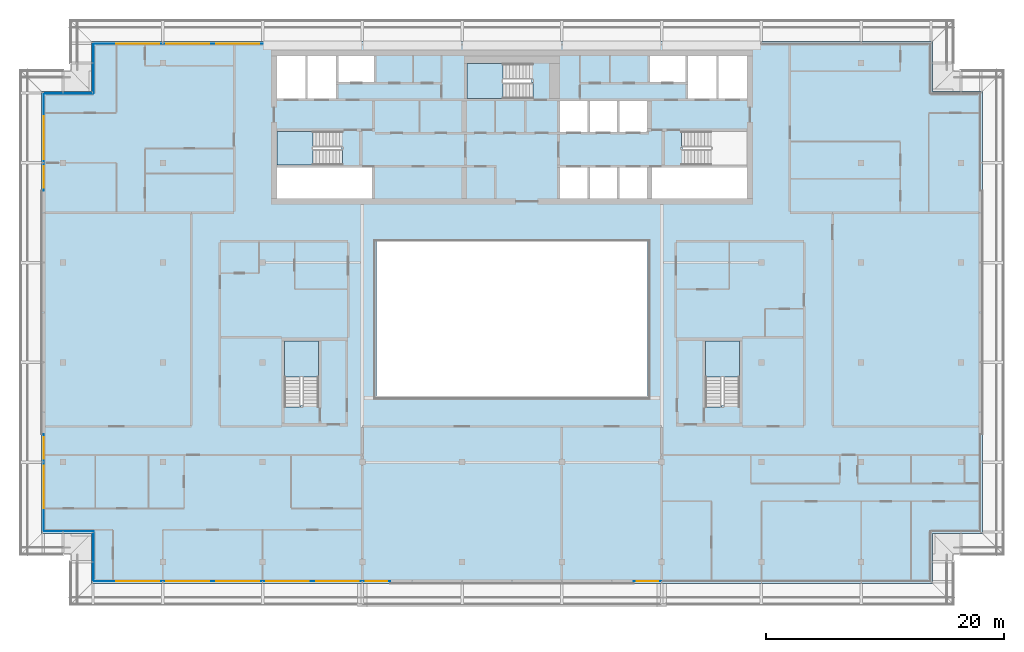
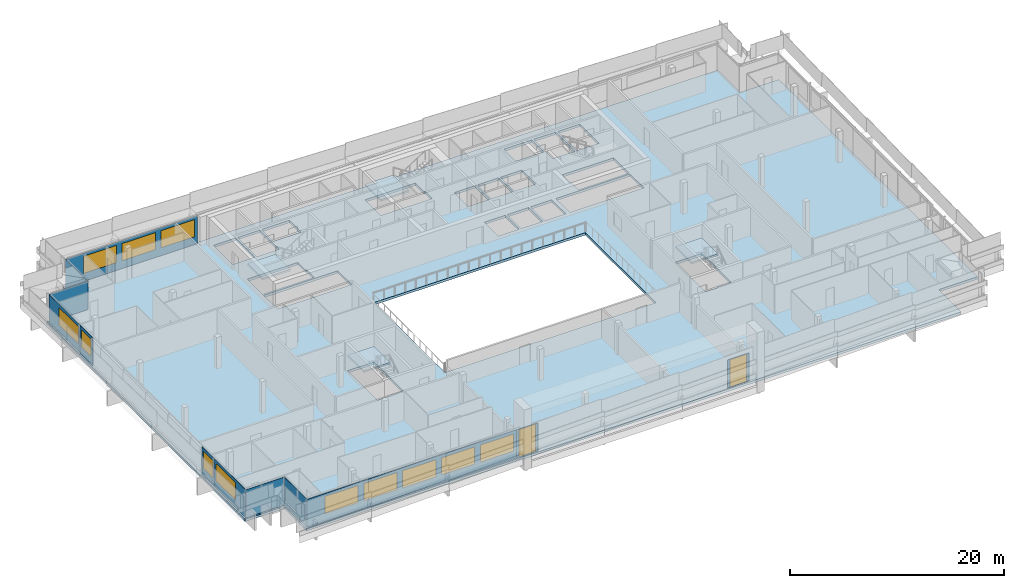
# One storey, part 15 of 33: 14 windows, 12 plates, 5 slabs, 14 openings, 11 elements without a shape of their own.
"""IFC4 building model written with IfcOpenShell, lengths in metres."""

import ifcopenshell
import ifcopenshell.guid

model = None  # the IFC model being written
_history = None  # IfcOwnerHistory: only IFC2X3 demands one
_inside = {}  # id of a spatial element -> (the spatial element, [elements in it])
_under = {}  # id of a project, library or spatial element -> (it, [spatial elements below it])
_declared = {}  # id of a project -> (the project, [libraries it declares])
_typed = {}  # id of a type object -> (the type object, [elements of that type])
_made_of = {}  # id of a material, layer set ... -> (it, [elements and type objects made of it])


def new_model(schema):
    """Start an empty IFC model of exactly this schema.

    Asked for "IFC4X3", IfcOpenShell would pick the latest addendum, in which some entities
    have other attributes; the version numbers below select the first issue.
    IFC2X3 requires an IfcOwnerHistory on every rooted entity: one is made here for all.
    """
    global model, _history
    if schema == "IFC4X3":
        model = ifcopenshell.file(schema_version=(4, 3, 0, 0))
    else:
        model = ifcopenshell.file(schema=schema)
    _inside.clear()
    _under.clear()
    _declared.clear()
    _typed.clear()
    _made_of.clear()
    _history = None
    if model.schema == "IFC2X3":
        org = make("IfcOrganization", Name="unknown")
        user = make(
            "IfcPersonAndOrganization",
            ThePerson=make("IfcPerson", FamilyName="unknown"),
            TheOrganization=org,
        )
        app = make(
            "IfcApplication",
            ApplicationDeveloper=org,
            Version="unknown",
            ApplicationFullName="unknown",
            ApplicationIdentifier="unknown",
        )
        _history = make(
            "IfcOwnerHistory",
            OwningUser=user,
            OwningApplication=app,
            ChangeAction="ADDED",
            CreationDate=0,
        )
    return model


def make(cls, **values):
    """One entity of the class cls with the attributes given. An attribute that is None is left unset."""
    return model.create_entity(
        cls, **{name: value for name, value in values.items() if value is not None}
    )


def rooted(cls, **values):
    """An entity with a GlobalId (a new one), such as an element, a storey or a relation."""
    return make(cls, GlobalId=ifcopenshell.guid.new(), OwnerHistory=_history, **values)


def si_unit(unit_type, name, prefix=None):
    """IfcSIUnit, for example si_unit("LENGTHUNIT", "METRE", prefix="MILLI")."""
    return make("IfcSIUnit", UnitType=unit_type, Prefix=prefix, Name=name)


def assignment(units):
    """IfcUnitAssignment: the units of a project."""
    return None if units is None else make("IfcUnitAssignment", Units=units)


def point(xyz):
    """IfcCartesianPoint."""
    return None if xyz is None else make("IfcCartesianPoint", Coordinates=xyz)


def direction(xyz):
    """IfcDirection."""
    return None if xyz is None else make("IfcDirection", DirectionRatios=xyz)


def frame(location, z_axis=None, x_axis=None):
    """IfcAxis2Placement3D, a coordinate frame: its origin and axes. An axis left out is left unset."""
    return make(
        "IfcAxis2Placement3D",
        Location=point(location),
        Axis=direction(z_axis),
        RefDirection=direction(x_axis),
    )


def frame_2d(location, x_axis=None):
    """IfcAxis2Placement2D, a coordinate frame in the plane: its origin and x axis."""
    return make(
        "IfcAxis2Placement2D", Location=point(location), RefDirection=direction(x_axis)
    )


def origin():
    """The frame at (0, 0, 0) with its axes left unset."""
    return frame((0.0, 0.0, 0.0))


def place(relative_to, where):
    """IfcLocalPlacement: puts the frame where relative to a parent placement (None: the world)."""
    return make(
        "IfcLocalPlacement", PlacementRelTo=relative_to, RelativePlacement=where
    )


def context(
    kind, dimensions, precision=None, world=None, true_north=None, identifier=None
):
    """IfcGeometricRepresentationContext, for example the 3D "Model" context."""
    return make(
        "IfcGeometricRepresentationContext",
        ContextIdentifier=identifier,
        ContextType=kind,
        CoordinateSpaceDimension=dimensions,
        Precision=precision,
        WorldCoordinateSystem=world,
        TrueNorth=true_north,
    )


def subcontext(parent, identifier, kind, view, scale=None):
    """IfcGeometricRepresentationSubContext, for example "Body" below "Model"."""
    return make(
        "IfcGeometricRepresentationSubContext",
        ContextIdentifier=identifier,
        ContextType=kind,
        ParentContext=parent,
        TargetScale=scale,
        TargetView=view,
    )


def project(units=None, contexts=None):
    """IfcProject with its units and contexts."""
    return rooted(
        "IfcProject",
        Name="project",
        RepresentationContexts=contexts,
        UnitsInContext=assignment(units),
    )


def spatial(cls, under=None, at=None, **own):
    """A site, building, storey or space (cls), placed at a placement, below another one or the project."""
    s = rooted(cls, ObjectPlacement=at, **own)
    if under is not None:
        _under.setdefault(under.id(), (under, []))[1].append(s)
    return s


def polyline(points):
    """IfcPolyline through the points."""
    return make("IfcPolyline", Points=[point(p) for p in points])


def profile(cls, at=None, kind="AREA", **sizes):
    """A parametric profile (cls). Its sizes go by their IFC names, for example OverallWidth=200.0."""
    return make(cls, ProfileType=kind, Position=at, **sizes)


def rectangle(**sizes):
    """IfcRectangleProfileDef."""
    return profile("IfcRectangleProfileDef", **sizes)


def outline(outer, holes=None, kind="AREA"):
    """IfcArbitraryClosedProfileDef: a profile drawn as a closed curve; with holes, ...WithVoids."""
    if holes is None:
        return make("IfcArbitraryClosedProfileDef", ProfileType=kind, OuterCurve=outer)
    return make(
        "IfcArbitraryProfileDefWithVoids",
        ProfileType=kind,
        OuterCurve=outer,
        InnerCurves=holes,
    )


def extrude(swept, where, along, depth):
    """IfcExtrudedAreaSolid: the profile swept, set in the frame where, extruded along a direction by depth."""
    return make(
        "IfcExtrudedAreaSolid",
        SweptArea=swept,
        Position=where,
        ExtrudedDirection=direction(along),
        Depth=depth,
    )


def shape(context_of_items, identifier, shape_type, items):
    """IfcShapeRepresentation: the items that make up one representation, for example the "Body"."""
    return make(
        "IfcShapeRepresentation",
        ContextOfItems=context_of_items,
        RepresentationIdentifier=identifier,
        RepresentationType=shape_type,
        Items=items,
    )


def material(Name=None, Category=None):
    """IfcMaterial."""
    return make("IfcMaterial", Name=Name, Category=Category)


def layer(
    of_material, thickness, ventilated=None, Name=None, Category=None, Priority=None
):
    """IfcMaterialLayer: one layer of a wall or slab, of a material (None: an air gap)."""
    return make(
        "IfcMaterialLayer",
        Material=of_material,
        LayerThickness=thickness,
        IsVentilated=ventilated,
        Name=Name,
        Category=Category,
        Priority=Priority,
    )


def layer_set(layers, Name=None):
    """IfcMaterialLayerSet."""
    return make("IfcMaterialLayerSet", MaterialLayers=layers, LayerSetName=Name)


def made_of(thing, what):
    """Note that an element or type object is made of a material, layer set ...; save() writes the relation."""
    if what is not None:
        _made_of.setdefault(what.id(), (what, []))[1].append(thing)
    return thing


def type_object(cls, material=None, **own):
    """A type object (cls), such as IfcWallType, which elements share."""
    return made_of(rooted(cls, **own), material)


def element(
    cls,
    number,
    at=None,
    inside=None,
    cuts=None,
    type_object=None,
    material=None,
    context=None,
    identifier="Body",
    shape_type=None,
    held_by="IfcProductDefinitionShape",
    body=None,
    shapes=None,
    **own,
):
    """One element of the class cls, such as IfcWall. Its Tag is "e" and its number.

    at: its placement. inside: the storey or other place that contains it. cuts: it is an
    opening in that element (IfcRelVoidsElement). A single representation is given by context,
    identifier, shape_type and body (its items); several are given by shapes. held_by: the class
    of the entity that holds the representations. save() writes the other relations.
    """
    e = rooted(cls, Tag="e%d" % number, ObjectPlacement=at, **own)
    if body is not None:
        shapes = [shape(context, identifier, shape_type, body)]
    if shapes is not None:
        e.Representation = make(held_by, Representations=shapes)
    if inside is not None:
        _inside.setdefault(inside.id(), (inside, []))[1].append(e)
    if cuts is not None:
        rooted(
            "IfcRelVoidsElement", RelatingBuildingElement=cuts, RelatedOpeningElement=e
        )
    if type_object is not None:
        _typed.setdefault(type_object.id(), (type_object, []))[1].append(e)
    return made_of(e, material)


def fill(opening, filler):
    """IfcRelFillsElement: the door or window that sits in an opening."""
    return rooted(
        "IfcRelFillsElement",
        RelatingOpeningElement=opening,
        RelatedBuildingElement=filler,
    )


def aggregate(whole, parts):
    """IfcRelAggregates: a whole, such as a stair, and the parts it consists of."""
    return rooted("IfcRelAggregates", RelatingObject=whole, RelatedObjects=parts)


def save(model, path):
    """Write the relations noted so far, then the file.

    IfcRelAggregates (storeys below a building ...), IfcRelContainedInSpatialStructure (elements
    in a storey), IfcRelDefinesByType, IfcRelAssociatesMaterial and IfcRelDeclares: one each for
    every whole, place, type object, material and project.
    """
    for whole, parts in _under.values():
        aggregate(whole, parts)
    for where, things in _inside.values():
        rooted(
            "IfcRelContainedInSpatialStructure",
            RelatedElements=things,
            RelatingStructure=where,
        )
    for kind, things in _typed.values():
        rooted("IfcRelDefinesByType", RelatedObjects=things, RelatingType=kind)
    for what, things in _made_of.values():
        rooted("IfcRelAssociatesMaterial", RelatedObjects=things, RelatingMaterial=what)
    for by, libraries in _declared.values():
        rooted("IfcRelDeclares", RelatingContext=by, RelatedDefinitions=libraries)
    model.write(path)


model = new_model("IFC4")

# Units and contexts
model_context = context("Model", 3, precision=1e-05, world=origin(), true_north=direction((0.0, 1.0)))
body_context = subcontext(model_context, "Body", "Model", "MODEL_VIEW")
ifc_project = project(units=[si_unit("LENGTHUNIT", "METRE"), si_unit("AREAUNIT", "SQUARE_METRE"), si_unit("VOLUMEUNIT", "CUBIC_METRE"), si_unit("PLANEANGLEUNIT", "RADIAN"), si_unit("MASSUNIT", "GRAM", prefix="KILO")], contexts=[model_context])

# Site, building, storey
site_placement = place(None, origin())
site = spatial("IfcSite", under=ifc_project, at=site_placement, CompositionType="ELEMENT")
building_placement = place(site_placement, origin())
building = spatial("IfcBuilding", under=site, at=building_placement, Name="Saffron Gate Tower", CompositionType="ELEMENT")
storey_placement = place(building_placement, frame((0.0, 0.0, 263.550048828125)))
storey = spatial("IfcBuildingStorey", under=building, at=storey_placement, Name="L63", CompositionType="ELEMENT", Elevation=263.550048828125)

# Curtain wall, plates, openings, windows
ifc_material_1 = material(Name="Aluminium, bronze anodised", Category="aluminium")
curtain_wall_type_1 = type_object("IfcCurtainWallType", Name="CWS1 curtain wall front facade", PredefinedType="NOTDEFINED", material=ifc_material_1)
curtain_wall_1_placement = place(storey_placement, origin())
curtain_wall_1 = element("IfcCurtainWall", 1, at=curtain_wall_1_placement, inside=storey, type_object=curtain_wall_type_1, Name="CWS1 run 1", PredefinedType="NOTDEFINED")
ifc_material_2 = material(Name="Clear low-iron laminated glass", Category="glass")
ifc_layer_1 = layer(ifc_material_2, 0.028076171875)
ifc_layer_set_1 = layer_set([ifc_layer_1], Name="CWS1 clear glass")
plate_type_1 = type_object("IfcPlateType", Name="CWS1 clear glass", PredefinedType="CURTAIN_PANEL", material=ifc_layer_set_1)
plate_1_placement = place(storey_placement, frame((75.030029296875, 30.174072265625, 0.0), z_axis=(0.0, 0.0, 1.0), x_axis=(1.0, 0.0, 0.0)))
plate_1 = element("IfcPlate", 2, at=plate_1_placement, type_object=plate_type_1, Name="CWS1 clear glass panel", PredefinedType="CURTAIN_PANEL", context=body_context, shape_type="SweptSolid", body=[
    extrude(rectangle(XDim=2.32080078125, YDim=0.028076171875, at=frame_2d((1.160400390625, 0.0))), origin(), (0.0, 0.0, 1.0), 3.199951171875),
])
opening_1_placement = place(plate_1_placement, frame((0.260498046875, 0.0, 0.050048828125)))
opening_1 = element("IfcOpeningElement", 3, at=opening_1_placement, cuts=plate_1, Name="Opening WAN18", PredefinedType="OPENING", context=body_context, shape_type="SweptSolid", body=[
    extrude(rectangle(XDim=1.800048828125, YDim=3.10009765625, at=frame_2d((0.89990234375, 1.550048828125))), frame((0.0, 0.02392578125, 0.0), z_axis=(0.0, -1.0, 0.0), x_axis=(1.0, 0.0, 0.0)), (0.0, 0.0, 1.0), 0.048095703125),
])
ifc_material_3 = material(Name="Clear low-iron laminated glass in bronze frame", Category="glass")
ifc_layer_2 = layer(ifc_material_3, 0.06005859375)
ifc_layer_set_2 = layer_set([ifc_layer_2], Name="WAN18 operable atrium unit 1800x3100")
window_type_1 = type_object("IfcWindowType", Name="WAN18 operable atrium unit 1800x3100", PartitioningType="DOUBLE_PANEL_HORIZONTAL", PredefinedType="WINDOW", material=ifc_layer_set_2)
window_1_placement = place(opening_1_placement, origin())
window_1 = element("IfcWindow", 4, at=window_1_placement, type_object=window_type_1, Name="WAN18 operable atrium unit", OverallHeight=3.10009765625, OverallWidth=1.800048828125, PartitioningType="SINGLE_PANEL", PredefinedType="WINDOW", context=body_context, shape_type="SweptSolid", body=[
    extrude(rectangle(XDim=1.800048828125, YDim=3.10009765625, at=frame_2d((0.89990234375, 1.550048828125))), frame((0.0, 0.013671875, 0.0), z_axis=(0.0, -1.0, 0.0), x_axis=(1.0, 0.0, 0.0)), (0.0, 0.0, 1.0), 0.027587890625),
])
fill(opening_1, window_1)
plate_2_placement = place(storey_placement, frame((97.84912109375, 30.174072265625, 0.0), z_axis=(0.0, 0.0, 1.0), x_axis=(1.0, 0.0, 0.0)))
plate_2 = element("IfcPlate", 5, at=plate_2_placement, type_object=plate_type_1, Name="CWS1 clear glass panel", PredefinedType="CURTAIN_PANEL", context=body_context, shape_type="SweptSolid", body=[
    extrude(rectangle(XDim=2.32080078125, YDim=0.028076171875, at=frame_2d((1.160400390625, 0.0))), origin(), (0.0, 0.0, 1.0), 3.199951171875),
])
opening_2_placement = place(plate_2_placement, frame((0.260498046875, 0.0, 0.050048828125)))
opening_2 = element("IfcOpeningElement", 6, at=opening_2_placement, cuts=plate_2, Name="Opening WAN18", PredefinedType="OPENING", context=body_context, shape_type="SweptSolid", body=[
    extrude(rectangle(XDim=1.800048828125, YDim=3.10009765625, at=frame_2d((0.89990234375, 1.550048828125))), frame((0.0, 0.02392578125, 0.0), z_axis=(0.0, -1.0, 0.0), x_axis=(1.0, 0.0, 0.0)), (0.0, 0.0, 1.0), 0.048095703125),
])
window_2_placement = place(opening_2_placement, origin())
window_2 = element("IfcWindow", 7, at=window_2_placement, type_object=window_type_1, Name="WAN18 operable atrium unit", OverallHeight=3.10009765625, OverallWidth=1.800048828125, PartitioningType="SINGLE_PANEL", PredefinedType="WINDOW", context=body_context, shape_type="SweptSolid", body=[
    extrude(rectangle(XDim=1.800048828125, YDim=3.10009765625, at=frame_2d((0.89990234375, 1.550048828125))), frame((0.0, 0.013671875, 0.0), z_axis=(0.0, -1.0, 0.0), x_axis=(1.0, 0.0, 0.0)), (0.0, 0.0, 1.0), 0.027587890625),
])
fill(opening_2, window_2)
ifc_material_4 = material(Name="Fritted bronze-tinted laminated glass", Category="glass")
ifc_layer_3 = layer(ifc_material_4, 0.028076171875)
ifc_layer_set_3 = layer_set([ifc_layer_3], Name="CWS1 fixed glass")
plate_type_2 = type_object("IfcPlateType", Name="CWS1 fixed glass", PredefinedType="CURTAIN_PANEL", material=ifc_layer_set_3)
plate_3_placement = place(storey_placement, frame((52.387939453125, 30.174072265625, 0.0), z_axis=(0.0, 0.0, 1.0), x_axis=(1.0, 0.0, 0.0)))
plate_3 = element("IfcPlate", 8, at=plate_3_placement, type_object=plate_type_2, Name="CWS1 glass panel", PredefinedType="CURTAIN_PANEL", context=body_context, shape_type="SweptSolid", body=[
    extrude(rectangle(XDim=22.64208984375, YDim=0.028076171875, at=frame_2d((11.321044921875, 0.0))), origin(), (0.0, 0.0, 1.0), 3.199951171875),
])
opening_3_placement = place(plate_3_placement, frame((1.912109375, 0.0, 0.89990234375)))
opening_3 = element("IfcOpeningElement", 9, at=opening_3_placement, cuts=plate_3, Name="Opening W1", PredefinedType="OPENING", context=body_context, shape_type="SweptSolid", body=[
    extrude(rectangle(XDim=3.60009765625, YDim=1.949951171875, at=frame_2d((1.800048828125, 0.97509765625))), frame((0.0, 0.02392578125, 0.0), z_axis=(0.0, -1.0, 0.0), x_axis=(1.0, 0.0, 0.0)), (0.0, 0.0, 1.0), 0.048095703125),
])
opening_4_placement = place(plate_3_placement, frame((6.112060546875, 0.0, 0.89990234375)))
opening_4 = element("IfcOpeningElement", 10, at=opening_4_placement, cuts=plate_3, Name="Opening W1", PredefinedType="OPENING", context=body_context, shape_type="SweptSolid", body=[
    extrude(rectangle(XDim=3.60009765625, YDim=1.949951171875, at=frame_2d((1.800048828125, 0.97509765625))), frame((0.0, 0.02392578125, 0.0), z_axis=(0.0, -1.0, 0.0), x_axis=(1.0, 0.0, 0.0)), (0.0, 0.0, 1.0), 0.048095703125),
])
opening_5_placement = place(plate_3_placement, frame((10.31201171875, 0.0, 0.89990234375)))
opening_5 = element("IfcOpeningElement", 11, at=opening_5_placement, cuts=plate_3, Name="Opening W1", PredefinedType="OPENING", context=body_context, shape_type="SweptSolid", body=[
    extrude(rectangle(XDim=3.60009765625, YDim=1.949951171875, at=frame_2d((1.800048828125, 0.97509765625))), frame((0.0, 0.02392578125, 0.0), z_axis=(0.0, -1.0, 0.0), x_axis=(1.0, 0.0, 0.0)), (0.0, 0.0, 1.0), 0.048095703125),
])
opening_6_placement = place(plate_3_placement, frame((14.511962890625, 0.0, 0.89990234375)))
opening_6 = element("IfcOpeningElement", 12, at=opening_6_placement, cuts=plate_3, Name="Opening W1", PredefinedType="OPENING", context=body_context, shape_type="SweptSolid", body=[
    extrude(rectangle(XDim=3.60009765625, YDim=1.949951171875, at=frame_2d((1.800048828125, 0.97509765625))), frame((0.0, 0.02392578125, 0.0), z_axis=(0.0, -1.0, 0.0), x_axis=(1.0, 0.0, 0.0)), (0.0, 0.0, 1.0), 0.048095703125),
])
opening_7_placement = place(plate_3_placement, frame((18.7119140625, 0.0, 0.89990234375)))
opening_7 = element("IfcOpeningElement", 13, at=opening_7_placement, cuts=plate_3, Name="Opening W1", PredefinedType="OPENING", context=body_context, shape_type="SweptSolid", body=[
    extrude(rectangle(XDim=3.60009765625, YDim=1.949951171875, at=frame_2d((1.800048828125, 0.97509765625))), frame((0.0, 0.02392578125, 0.0), z_axis=(0.0, -1.0, 0.0), x_axis=(1.0, 0.0, 0.0)), (0.0, 0.0, 1.0), 0.048095703125),
])
ifc_material_5 = material(Name="Fritted bronze-tinted laminated glass in bronze frame", Category="glass")
ifc_layer_4 = layer(ifc_material_5, 0.06005859375)
ifc_layer_set_4 = layer_set([ifc_layer_4], Name="W1 operable panel 3600x1950")
window_type_2 = type_object("IfcWindowType", Name="W1 operable panel 3600x1950", PartitioningType="DOUBLE_PANEL_HORIZONTAL", PredefinedType="WINDOW", material=ifc_layer_set_4)
window_3_placement = place(opening_3_placement, origin())
window_3 = element("IfcWindow", 14, at=window_3_placement, type_object=window_type_2, Name="W1 operable panel", OverallHeight=1.949951171875, OverallWidth=3.60009765625, PartitioningType="SINGLE_PANEL", PredefinedType="WINDOW", context=body_context, shape_type="SweptSolid", body=[
    extrude(rectangle(XDim=3.60009765625, YDim=1.949951171875, at=frame_2d((1.800048828125, 0.97509765625))), frame((0.0, 0.013671875, 0.0), z_axis=(0.0, -1.0, 0.0), x_axis=(1.0, 0.0, 0.0)), (0.0, 0.0, 1.0), 0.027587890625),
])
fill(opening_3, window_3)
window_4_placement = place(opening_4_placement, origin())
window_4 = element("IfcWindow", 15, at=window_4_placement, type_object=window_type_2, Name="W1 operable panel", OverallHeight=1.949951171875, OverallWidth=3.60009765625, PartitioningType="SINGLE_PANEL", PredefinedType="WINDOW", context=body_context, shape_type="SweptSolid", body=[
    extrude(rectangle(XDim=3.60009765625, YDim=1.949951171875, at=frame_2d((1.800048828125, 0.97509765625))), frame((0.0, 0.013671875, 0.0), z_axis=(0.0, -1.0, 0.0), x_axis=(1.0, 0.0, 0.0)), (0.0, 0.0, 1.0), 0.027587890625),
])
fill(opening_4, window_4)
window_5_placement = place(opening_5_placement, origin())
window_5 = element("IfcWindow", 16, at=window_5_placement, type_object=window_type_2, Name="W1 operable panel", OverallHeight=1.949951171875, OverallWidth=3.60009765625, PartitioningType="SINGLE_PANEL", PredefinedType="WINDOW", context=body_context, shape_type="SweptSolid", body=[
    extrude(rectangle(XDim=3.60009765625, YDim=1.949951171875, at=frame_2d((1.800048828125, 0.97509765625))), frame((0.0, 0.013671875, 0.0), z_axis=(0.0, -1.0, 0.0), x_axis=(1.0, 0.0, 0.0)), (0.0, 0.0, 1.0), 0.027587890625),
])
fill(opening_5, window_5)
window_6_placement = place(opening_6_placement, origin())
window_6 = element("IfcWindow", 17, at=window_6_placement, type_object=window_type_2, Name="W1 operable panel", OverallHeight=1.949951171875, OverallWidth=3.60009765625, PartitioningType="SINGLE_PANEL", PredefinedType="WINDOW", context=body_context, shape_type="SweptSolid", body=[
    extrude(rectangle(XDim=3.60009765625, YDim=1.949951171875, at=frame_2d((1.800048828125, 0.97509765625))), frame((0.0, 0.013671875, 0.0), z_axis=(0.0, -1.0, 0.0), x_axis=(1.0, 0.0, 0.0)), (0.0, 0.0, 1.0), 0.027587890625),
])
fill(opening_6, window_6)
window_7_placement = place(opening_7_placement, origin())
window_7 = element("IfcWindow", 18, at=window_7_placement, type_object=window_type_2, Name="W1 operable panel", OverallHeight=1.949951171875, OverallWidth=3.60009765625, PartitioningType="SINGLE_PANEL", PredefinedType="WINDOW", context=body_context, shape_type="SweptSolid", body=[
    extrude(rectangle(XDim=3.60009765625, YDim=1.949951171875, at=frame_2d((1.800048828125, 0.97509765625))), frame((0.0, 0.013671875, 0.0), z_axis=(0.0, -1.0, 0.0), x_axis=(1.0, 0.0, 0.0)), (0.0, 0.0, 1.0), 0.027587890625),
])
fill(opening_7, window_7)
aggregate(curtain_wall_1, [plate_3, plate_1, plate_2, window_3, window_4, window_5, window_6, window_7, window_1, window_2])

curtain_wall_type_2 = type_object("IfcCurtainWallType", Name="CWS2 curtain wall side facades", PredefinedType="NOTDEFINED", material=ifc_material_1)
curtain_wall_2_placement = place(storey_placement, origin())
curtain_wall_2 = element("IfcCurtainWall", 19, at=curtain_wall_2_placement, inside=storey, type_object=curtain_wall_type_2, Name="CWS2 run 10", PredefinedType="NOTDEFINED")
ifc_layer_5 = layer(ifc_material_4, 0.028076171875)
ifc_layer_set_5 = layer_set([ifc_layer_5], Name="CWS2 fixed glass")
plate_type_3 = type_object("IfcPlateType", Name="CWS2 fixed glass", PredefinedType="CURTAIN_PANEL", material=ifc_layer_set_5)
plate_4_placement = place(storey_placement, frame((48.174072265625, 71.2119140625, 0.0), z_axis=(0.0, 0.0, 1.0), x_axis=(0.0, -1.0, 0.0)))
plate_4 = element("IfcPlate", 20, at=plate_4_placement, type_object=plate_type_3, Name="CWS2 glass panel", PredefinedType="CURTAIN_PANEL", context=body_context, shape_type="SweptSolid", body=[
    extrude(rectangle(XDim=5.841796875, YDim=0.028076171875, at=frame_2d((2.9208984375, 0.0))), origin(), (0.0, 0.0, 1.0), 3.199951171875),
])
opening_8_placement = place(plate_4_placement, frame((1.912109375, 0.0, 0.89990234375)))
opening_8 = element("IfcOpeningElement", 21, at=opening_8_placement, cuts=plate_4, Name="Opening W1", PredefinedType="OPENING", context=body_context, shape_type="SweptSolid", body=[
    extrude(rectangle(XDim=3.60009765625, YDim=1.949951171875, at=frame_2d((1.800048828125, 0.97509765625))), frame((0.0, 0.02392578125, 0.0), z_axis=(0.0, -1.0, 0.0), x_axis=(1.0, 0.0, 0.0)), (0.0, 0.0, 1.0), 0.048095703125),
])
window_8_placement = place(opening_8_placement, origin())
window_8 = element("IfcWindow", 22, at=window_8_placement, type_object=window_type_2, Name="W1 operable panel", OverallHeight=1.949951171875, OverallWidth=3.60009765625, PartitioningType="SINGLE_PANEL", PredefinedType="WINDOW", context=body_context, shape_type="SweptSolid", body=[
    extrude(rectangle(XDim=3.60009765625, YDim=1.949951171875, at=frame_2d((1.800048828125, 0.97509765625))), frame((0.0, 0.013671875, 0.0), z_axis=(0.0, -1.0, 0.0), x_axis=(1.0, 0.0, 0.0)), (0.0, 0.0, 1.0), 0.027587890625),
])
fill(opening_8, window_8)
plate_5_placement = place(storey_placement, frame((48.174072265625, 40.22998046875, 0.0), z_axis=(0.0, 0.0, 1.0), x_axis=(0.0, -1.0, 0.0)))
plate_5 = element("IfcPlate", 23, at=plate_5_placement, type_object=plate_type_3, Name="CWS2 glass panel", PredefinedType="CURTAIN_PANEL", context=body_context, shape_type="SweptSolid", body=[
    extrude(rectangle(XDim=5.842041015625, YDim=0.028076171875, at=frame_2d((2.9208984375, 0.0))), origin(), (0.0, 0.0, 1.0), 3.199951171875),
])
opening_9_placement = place(plate_5_placement, frame((0.330078125, 0.0, 0.89990234375)))
opening_9 = element("IfcOpeningElement", 24, at=opening_9_placement, cuts=plate_5, Name="Opening W1", PredefinedType="OPENING", context=body_context, shape_type="SweptSolid", body=[
    extrude(rectangle(XDim=3.60009765625, YDim=1.949951171875, at=frame_2d((1.800048828125, 0.97509765625))), frame((0.0, 0.02392578125, 0.0), z_axis=(0.0, -1.0, 0.0), x_axis=(1.0, 0.0, 0.0)), (0.0, 0.0, 1.0), 0.048095703125),
])
window_9_placement = place(opening_9_placement, origin())
window_9 = element("IfcWindow", 25, at=window_9_placement, type_object=window_type_2, Name="W1 operable panel", OverallHeight=1.949951171875, OverallWidth=3.60009765625, PartitioningType="SINGLE_PANEL", PredefinedType="WINDOW", context=body_context, shape_type="SweptSolid", body=[
    extrude(rectangle(XDim=3.60009765625, YDim=1.949951171875, at=frame_2d((1.800048828125, 0.97509765625))), frame((0.0, 0.013671875, 0.0), z_axis=(0.0, -1.0, 0.0), x_axis=(1.0, 0.0, 0.0)), (0.0, 0.0, 1.0), 0.027587890625),
])
fill(opening_9, window_9)
plate_6_placement = place(storey_placement, frame((48.174072265625, 65.3701171875, 0.0), z_axis=(0.0, 0.0, 1.0), x_axis=(0.0, -1.0, 0.0)))
plate_6 = element("IfcPlate", 26, at=plate_6_placement, type_object=plate_type_3, Name="CWS2 glass panel", PredefinedType="CURTAIN_PANEL", context=body_context, shape_type="SweptSolid", body=[
    extrude(rectangle(XDim=2.32080078125, YDim=0.028076171875, at=frame_2d((1.160400390625, 0.0))), origin(), (0.0, 0.0, 1.0), 3.199951171875),
])
opening_10_placement = place(plate_6_placement, frame((0.260498046875, 0.0, 0.89990234375)))
opening_10 = element("IfcOpeningElement", 27, at=opening_10_placement, cuts=plate_6, Name="Opening W1N18", PredefinedType="OPENING", context=body_context, shape_type="SweptSolid", body=[
    extrude(rectangle(XDim=1.800048828125, YDim=1.949951171875, at=frame_2d((0.89990234375, 0.97509765625))), frame((0.0, 0.02392578125, 0.0), z_axis=(0.0, -1.0, 0.0), x_axis=(1.0, 0.0, 0.0)), (0.0, 0.0, 1.0), 0.048095703125),
])
ifc_layer_6 = layer(ifc_material_5, 0.06005859375)
ifc_layer_set_6 = layer_set([ifc_layer_6], Name="W1N18 operable panel 1800x1950")
window_type_3 = type_object("IfcWindowType", Name="W1N18 operable panel 1800x1950", PartitioningType="DOUBLE_PANEL_HORIZONTAL", PredefinedType="WINDOW", material=ifc_layer_set_6)
window_10_placement = place(opening_10_placement, origin())
window_10 = element("IfcWindow", 28, at=window_10_placement, type_object=window_type_3, Name="W1N18 operable panel", OverallHeight=1.949951171875, OverallWidth=1.800048828125, PartitioningType="SINGLE_PANEL", PredefinedType="WINDOW", context=body_context, shape_type="SweptSolid", body=[
    extrude(rectangle(XDim=1.800048828125, YDim=1.949951171875, at=frame_2d((0.89990234375, 0.97509765625))), frame((0.0, 0.013671875, 0.0), z_axis=(0.0, -1.0, 0.0), x_axis=(1.0, 0.0, 0.0)), (0.0, 0.0, 1.0), 0.027587890625),
])
fill(opening_10, window_10)
plate_7_placement = place(storey_placement, frame((48.174072265625, 42.55078125, 0.0), z_axis=(0.0, 0.0, 1.0), x_axis=(0.0, -1.0, 0.0)))
plate_7 = element("IfcPlate", 29, at=plate_7_placement, type_object=plate_type_3, Name="CWS2 glass panel", PredefinedType="CURTAIN_PANEL", context=body_context, shape_type="SweptSolid", body=[
    extrude(rectangle(XDim=2.32080078125, YDim=0.028076171875, at=frame_2d((1.160400390625, 0.0))), origin(), (0.0, 0.0, 1.0), 3.199951171875),
])
opening_11_placement = place(plate_7_placement, frame((0.260498046875, 0.0, 0.89990234375)))
opening_11 = element("IfcOpeningElement", 30, at=opening_11_placement, cuts=plate_7, Name="Opening W1N18", PredefinedType="OPENING", context=body_context, shape_type="SweptSolid", body=[
    extrude(rectangle(XDim=1.800048828125, YDim=1.949951171875, at=frame_2d((0.89990234375, 0.97509765625))), frame((0.0, 0.02392578125, 0.0), z_axis=(0.0, -1.0, 0.0), x_axis=(1.0, 0.0, 0.0)), (0.0, 0.0, 1.0), 0.048095703125),
])
window_11_placement = place(opening_11_placement, origin())
window_11 = element("IfcWindow", 31, at=window_11_placement, type_object=window_type_3, Name="W1N18 operable panel", OverallHeight=1.949951171875, OverallWidth=1.800048828125, PartitioningType="SINGLE_PANEL", PredefinedType="WINDOW", context=body_context, shape_type="SweptSolid", body=[
    extrude(rectangle(XDim=1.800048828125, YDim=1.949951171875, at=frame_2d((0.89990234375, 0.97509765625))), frame((0.0, 0.013671875, 0.0), z_axis=(0.0, -1.0, 0.0), x_axis=(1.0, 0.0, 0.0)), (0.0, 0.0, 1.0), 0.027587890625),
])
fill(opening_11, window_11)
aggregate(curtain_wall_2, [plate_4, plate_5, plate_6, plate_7, window_8, window_9, window_10, window_11])

# Curtain wall, plate, openings, windows
curtain_wall_type_3 = type_object("IfcCurtainWallType", Name="CWS3 curtain wall rear facade", PredefinedType="NOTDEFINED", material=ifc_material_1)
curtain_wall_3_placement = place(storey_placement, origin())
curtain_wall_3 = element("IfcCurtainWall", 32, at=curtain_wall_3_placement, inside=storey, type_object=curtain_wall_type_3, Name="CWS3 run 7", PredefinedType="NOTDEFINED")
ifc_material_6 = material(Name="Fritted grey-tinted laminated glass", Category="glass")
ifc_layer_7 = layer(ifc_material_6, 0.028076171875)
ifc_layer_set_7 = layer_set([ifc_layer_7], Name="CWS3 fixed glass")
plate_type_4 = type_object("IfcPlateType", Name="CWS3 fixed glass", PredefinedType="CURTAIN_PANEL", material=ifc_layer_set_7)
plate_8_placement = place(storey_placement, frame((66.635009765625, 75.426025390625, 0.0), z_axis=(0.0, 0.0, 1.0), x_axis=(-1.0, 0.0, 0.0)))
plate_8 = element("IfcPlate", 33, at=plate_8_placement, type_object=plate_type_4, Name="CWS3 glass panel", PredefinedType="CURTAIN_PANEL", context=body_context, shape_type="SweptSolid", body=[
    extrude(rectangle(XDim=14.2470703125, YDim=0.028076171875, at=frame_2d((7.12353515625, 0.0))), origin(), (0.0, 0.0, 1.0), 3.199951171875),
])
opening_12_placement = place(plate_8_placement, frame((0.3349609375, 0.0, 0.89990234375)))
opening_12 = element("IfcOpeningElement", 34, at=opening_12_placement, cuts=plate_8, Name="Opening W1", PredefinedType="OPENING", context=body_context, shape_type="SweptSolid", body=[
    extrude(rectangle(XDim=3.60009765625, YDim=1.949951171875, at=frame_2d((1.800048828125, 0.97509765625))), frame((0.0, 0.02392578125, 0.0), z_axis=(0.0, -1.0, 0.0), x_axis=(1.0, 0.0, 0.0)), (0.0, 0.0, 1.0), 0.048095703125),
])
opening_13_placement = place(plate_8_placement, frame((4.534912109375, 0.0, 0.89990234375)))
opening_13 = element("IfcOpeningElement", 35, at=opening_13_placement, cuts=plate_8, Name="Opening W1", PredefinedType="OPENING", context=body_context, shape_type="SweptSolid", body=[
    extrude(rectangle(XDim=3.60009765625, YDim=1.949951171875, at=frame_2d((1.800048828125, 0.97509765625))), frame((0.0, 0.02392578125, 0.0), z_axis=(0.0, -1.0, 0.0), x_axis=(1.0, 0.0, 0.0)), (0.0, 0.0, 1.0), 0.048095703125),
])
opening_14_placement = place(plate_8_placement, frame((8.735107421875, 0.0, 0.89990234375)))
opening_14 = element("IfcOpeningElement", 36, at=opening_14_placement, cuts=plate_8, Name="Opening W1", PredefinedType="OPENING", context=body_context, shape_type="SweptSolid", body=[
    extrude(rectangle(XDim=3.60009765625, YDim=1.949951171875, at=frame_2d((1.800048828125, 0.97509765625))), frame((0.0, 0.02392578125, 0.0), z_axis=(0.0, -1.0, 0.0), x_axis=(1.0, 0.0, 0.0)), (0.0, 0.0, 1.0), 0.048095703125),
])
window_12_placement = place(opening_12_placement, origin())
window_12 = element("IfcWindow", 37, at=window_12_placement, type_object=window_type_2, Name="W1 operable panel", OverallHeight=1.949951171875, OverallWidth=3.60009765625, PartitioningType="SINGLE_PANEL", PredefinedType="WINDOW", context=body_context, shape_type="SweptSolid", body=[
    extrude(rectangle(XDim=3.60009765625, YDim=1.949951171875, at=frame_2d((1.800048828125, 0.97509765625))), frame((0.0, 0.013671875, 0.0), z_axis=(0.0, -1.0, 0.0), x_axis=(1.0, 0.0, 0.0)), (0.0, 0.0, 1.0), 0.027587890625),
])
fill(opening_12, window_12)
window_13_placement = place(opening_13_placement, origin())
window_13 = element("IfcWindow", 38, at=window_13_placement, type_object=window_type_2, Name="W1 operable panel", OverallHeight=1.949951171875, OverallWidth=3.60009765625, PartitioningType="SINGLE_PANEL", PredefinedType="WINDOW", context=body_context, shape_type="SweptSolid", body=[
    extrude(rectangle(XDim=3.60009765625, YDim=1.949951171875, at=frame_2d((1.800048828125, 0.97509765625))), frame((0.0, 0.013671875, 0.0), z_axis=(0.0, -1.0, 0.0), x_axis=(1.0, 0.0, 0.0)), (0.0, 0.0, 1.0), 0.027587890625),
])
fill(opening_13, window_13)
window_14_placement = place(opening_14_placement, origin())
window_14 = element("IfcWindow", 39, at=window_14_placement, type_object=window_type_2, Name="W1 operable panel", OverallHeight=1.949951171875, OverallWidth=3.60009765625, PartitioningType="SINGLE_PANEL", PredefinedType="WINDOW", context=body_context, shape_type="SweptSolid", body=[
    extrude(rectangle(XDim=3.60009765625, YDim=1.949951171875, at=frame_2d((1.800048828125, 0.97509765625))), frame((0.0, 0.013671875, 0.0), z_axis=(0.0, -1.0, 0.0), x_axis=(1.0, 0.0, 0.0)), (0.0, 0.0, 1.0), 0.027587890625),
])
fill(opening_14, window_14)
aggregate(curtain_wall_3, [plate_8, window_12, window_13, window_14])

# Curtain wall, plate
curtain_wall_type_4 = type_object("IfcCurtainWallType", Name="CWS4 curtain wall corner returns", PredefinedType="NOTDEFINED", material=ifc_material_1)
curtain_wall_4_placement = place(storey_placement, origin())
curtain_wall_4 = element("IfcCurtainWall", 40, at=curtain_wall_4_placement, inside=storey, type_object=curtain_wall_type_4, Name="CWS4 run 8", PredefinedType="NOTDEFINED")
ifc_layer_8 = layer(ifc_material_4, 0.028076171875)
ifc_layer_set_8 = layer_set([ifc_layer_8], Name="CWS4 fixed glass")
plate_type_5 = type_object("IfcPlateType", Name="CWS4 fixed glass", PredefinedType="CURTAIN_PANEL", material=ifc_layer_set_8)
plate_9_placement = place(storey_placement, frame((52.3740234375, 75.412109375, 0.0), z_axis=(0.0, 0.0, 1.0), x_axis=(0.0, -1.0, 0.0)))
plate_9 = element("IfcPlate", 41, at=plate_9_placement, type_object=plate_type_5, Name="CWS4 glass panel", PredefinedType="CURTAIN_PANEL", context=body_context, shape_type="SweptSolid", body=[
    extrude(rectangle(XDim=4.172119140625, YDim=0.028076171875, at=frame_2d((2.0859375, 0.0))), origin(), (0.0, 0.0, 1.0), 3.199951171875),
])
aggregate(curtain_wall_4, [plate_9])

curtain_wall_5_placement = place(storey_placement, origin())
curtain_wall_5 = element("IfcCurtainWall", 42, at=curtain_wall_5_placement, inside=storey, type_object=curtain_wall_type_4, Name="CWS4 run 9", PredefinedType="NOTDEFINED")
plate_10_placement = place(storey_placement, frame((52.360107421875, 71.22607421875, 0.0), z_axis=(0.0, 0.0, 1.0), x_axis=(-1.0, 0.0, 0.0)))
plate_10 = element("IfcPlate", 43, at=plate_10_placement, type_object=plate_type_5, Name="CWS4 glass panel", PredefinedType="CURTAIN_PANEL", context=body_context, shape_type="SweptSolid", body=[
    extrude(rectangle(XDim=4.172119140625, YDim=0.028076171875, at=frame_2d((2.0859375, 0.0))), origin(), (0.0, 0.0, 1.0), 3.199951171875),
])
aggregate(curtain_wall_5, [plate_10])

curtain_wall_6_placement = place(storey_placement, origin())
curtain_wall_6 = element("IfcCurtainWall", 44, at=curtain_wall_6_placement, inside=storey, type_object=curtain_wall_type_4, Name="CWS4 run 11", PredefinedType="NOTDEFINED")
plate_11_placement = place(storey_placement, frame((48.18798828125, 34.3740234375, 0.0), z_axis=(0.0, 0.0, 1.0), x_axis=(1.0, 0.0, 0.0)))
plate_11 = element("IfcPlate", 45, at=plate_11_placement, type_object=plate_type_5, Name="CWS4 glass panel", PredefinedType="CURTAIN_PANEL", context=body_context, shape_type="SweptSolid", body=[
    extrude(rectangle(XDim=4.172119140625, YDim=0.028076171875, at=frame_2d((2.0859375, 0.0))), origin(), (0.0, 0.0, 1.0), 3.199951171875),
])
aggregate(curtain_wall_6, [plate_11])

curtain_wall_7_placement = place(storey_placement, origin())
curtain_wall_7 = element("IfcCurtainWall", 46, at=curtain_wall_7_placement, inside=storey, type_object=curtain_wall_type_4, Name="CWS4 run 12", PredefinedType="NOTDEFINED")
plate_12_placement = place(storey_placement, frame((52.3740234375, 34.360107421875, 0.0), z_axis=(0.0, 0.0, 1.0), x_axis=(0.0, -1.0, 0.0)))
plate_12 = element("IfcPlate", 47, at=plate_12_placement, type_object=plate_type_5, Name="CWS4 glass panel", PredefinedType="CURTAIN_PANEL", context=body_context, shape_type="SweptSolid", body=[
    extrude(rectangle(XDim=4.172119140625, YDim=0.028076171875, at=frame_2d((2.0859375, 0.0))), origin(), (0.0, 0.0, 1.0), 3.199951171875),
])
aggregate(curtain_wall_7, [plate_12])

# Slab
ifc_material_7 = material(Name="Concrete C40", Category="concrete")
ifc_layer_9 = layer(ifc_material_7, 0.280029296875)
ifc_layer_set_9 = layer_set([ifc_layer_9], Name="S2 FLOOR SLAB 280 CONCRETE C40")
slab_type_1 = type_object("IfcSlabType", Name="S2 FLOOR SLAB 280 CONCRETE C40", PredefinedType="FLOOR", material=ifc_layer_set_9)
slab_1_placement = place(storey_placement, frame((0.0, 0.0, -0.280029296875)))
element("IfcSlab", 48, at=slab_1_placement, inside=storey, type_object=slab_type_1, Name="S2 FLOOR SLAB", PredefinedType="FLOOR", context=body_context, shape_type="SweptSolid", body=[
    extrude(outline(polyline([(48.0, 34.199951171875), (52.199951171875, 34.199951171875), (52.199951171875, 30.0), (123.0, 30.0), (123.0, 34.199951171875), (127.199951171875, 34.199951171875), (127.199951171875, 71.39990234375), (123.0, 71.39990234375), (123.0, 75.60009765625), (52.199951171875, 75.60009765625), (52.199951171875, 71.39990234375), (48.0, 71.39990234375), (48.0, 34.199951171875)]), holes=[polyline([(67.800048828125, 62.39990234375), (67.800048828125, 65.0), (75.800048828125, 65.0), (75.800048828125, 62.39990234375), (67.800048828125, 62.39990234375)]), polyline([(67.800048828125, 65.199951171875), (67.800048828125, 68.050048828125), (73.25, 68.050048828125), (73.25, 66.550048828125), (73.34912109375, 66.550048828125), (73.34912109375, 65.199951171875), (67.800048828125, 65.199951171875)]), polyline([(67.800048828125, 70.800048828125), (67.800048828125, 74.39990234375), (70.199951171875, 74.39990234375), (70.199951171875, 70.800048828125), (67.800048828125, 70.800048828125)]), polyline([(68.449951171875, 44.85107421875), (68.449951171875, 50.39990234375), (71.300048828125, 50.39990234375), (71.300048828125, 44.949951171875), (69.800048828125, 44.949951171875), (69.800048828125, 44.85107421875), (68.449951171875, 44.85107421875)]), polyline([(70.39990234375, 70.800048828125), (70.39990234375, 74.39990234375), (72.800048828125, 74.39990234375), (72.800048828125, 70.800048828125), (70.39990234375, 70.800048828125)]), polyline([(73.0, 72.199951171875), (73.0, 74.39990234375), (76.0, 74.39990234375), (76.0, 72.199951171875), (73.0, 72.199951171875)]), polyline([(76.199951171875, 45.60009765625), (76.199951171875, 58.800048828125), (99.0, 58.800048828125), (99.0, 45.60009765625), (76.199951171875, 45.60009765625)]), polyline([(83.800048828125, 70.800048828125), (83.800048828125, 73.75), (89.25, 73.75), (89.25, 72.14990234375), (89.34912109375, 72.14990234375), (89.34912109375, 70.800048828125), (83.800048828125, 70.800048828125)]), polyline([(91.64990234375, 62.39990234375), (91.64990234375, 65.0), (93.949951171875, 65.0), (93.949951171875, 62.39990234375), (91.64990234375, 62.39990234375)]), polyline([(91.64990234375, 68.0), (91.64990234375, 70.60009765625), (93.949951171875, 70.60009765625), (93.949951171875, 68.0), (91.64990234375, 68.0)]), polyline([(94.14990234375, 62.39990234375), (94.14990234375, 65.0), (96.449951171875, 65.0), (96.449951171875, 62.39990234375), (94.14990234375, 62.39990234375)]), polyline([(94.14990234375, 68.0), (94.14990234375, 70.60009765625), (96.449951171875, 70.60009765625), (96.449951171875, 68.0), (94.14990234375, 68.0)]), polyline([(96.64990234375, 62.39990234375), (96.64990234375, 65.0), (98.949951171875, 65.0), (98.949951171875, 62.39990234375), (96.64990234375, 62.39990234375)]), polyline([(96.64990234375, 68.0), (96.64990234375, 70.60009765625), (98.949951171875, 70.60009765625), (98.949951171875, 68.0), (96.64990234375, 68.0)]), polyline([(99.199951171875, 72.199951171875), (99.199951171875, 74.39990234375), (102.199951171875, 74.39990234375), (102.199951171875, 72.199951171875), (99.199951171875, 72.199951171875)]), polyline([(99.39990234375, 62.39990234375), (99.39990234375, 65.0), (107.39990234375, 65.0), (107.39990234375, 62.39990234375), (99.39990234375, 62.39990234375)]), polyline([(101.85107421875, 66.699951171875), (101.85107421875, 68.050048828125), (107.39990234375, 68.050048828125), (107.39990234375, 65.199951171875), (101.949951171875, 65.199951171875), (101.949951171875, 66.699951171875), (101.85107421875, 66.699951171875)]), polyline([(102.39990234375, 70.800048828125), (102.39990234375, 74.39990234375), (104.800048828125, 74.39990234375), (104.800048828125, 70.800048828125), (102.39990234375, 70.800048828125)]), polyline([(103.89990234375, 44.85107421875), (103.89990234375, 50.39990234375), (106.75, 50.39990234375), (106.75, 44.949951171875), (105.25, 44.949951171875), (105.25, 44.85107421875), (103.89990234375, 44.85107421875)]), polyline([(105.0, 70.800048828125), (105.0, 74.39990234375), (107.39990234375, 74.39990234375), (107.39990234375, 70.800048828125), (105.0, 70.800048828125)])]), origin(), (0.0, 0.0, 1.0), 0.280029296875),
])

# Stair, slab
stair_type = type_object("IfcStairType", Name="ST7 Stair 1350 wide, 20 risers of 180", PredefinedType="HALF_TURN_STAIR", material=ifc_material_7)
stair_1_placement = place(storey_placement, origin())
stair_1 = element("IfcStair", 49, at=stair_1_placement, inside=storey, type_object=stair_type, Name="L63 Exit stair A", PredefinedType="HALF_TURN_STAIR")
ifc_layer_10 = layer(ifc_material_7, 0.199951171875)
ifc_layer_set_10 = layer_set([ifc_layer_10], Name="SL1 Stair landing 200")
slab_type_2 = type_object("IfcSlabType", Name="SL1 Stair landing 200", PredefinedType="LANDING", material=ifc_layer_set_10)
slab_2_placement = place(storey_placement, frame((0.0, 0.0, 1.599853515625)))
slab_2 = element("IfcSlab", 50, at=slab_2_placement, type_object=slab_type_2, Name="ST-A landing 1", PredefinedType="LANDING", context=body_context, shape_type="SweptSolid", body=[
    extrude(outline(polyline([(70.830078125, 68.050048828125), (67.800048828125, 68.050048828125), (67.800048828125, 65.199951171875), (70.830078125, 65.199951171875), (70.830078125, 68.050048828125)])), origin(), (0.0, 0.0, 1.0), 0.2001953125),
])
aggregate(stair_1, [slab_2])

stair_2_placement = place(storey_placement, origin())
stair_2 = element("IfcStair", 51, at=stair_2_placement, inside=storey, type_object=stair_type, Name="L63 Exit stair C", PredefinedType="HALF_TURN_STAIR")
slab_3_placement = place(storey_placement, frame((0.0, 0.0, 1.599853515625)))
slab_3 = element("IfcSlab", 52, at=slab_3_placement, type_object=slab_type_2, Name="ST-C landing 1", PredefinedType="LANDING", context=body_context, shape_type="SweptSolid", body=[
    extrude(outline(polyline([(86.830078125, 73.75), (83.800048828125, 73.75), (83.800048828125, 70.800048828125), (86.830078125, 70.800048828125), (86.830078125, 73.75)])), origin(), (0.0, 0.0, 1.0), 0.2001953125),
])
aggregate(stair_2, [slab_3])

stair_3_placement = place(storey_placement, origin())
stair_3 = element("IfcStair", 53, at=stair_3_placement, inside=storey, type_object=stair_type, Name="L63 Exit stair D", PredefinedType="HALF_TURN_STAIR")
slab_4_placement = place(storey_placement, frame((0.0, 0.0, 1.599853515625)))
slab_4 = element("IfcSlab", 54, at=slab_4_placement, type_object=slab_type_2, Name="ST-D landing 1", PredefinedType="LANDING", context=body_context, shape_type="SweptSolid", body=[
    extrude(outline(polyline([(71.300048828125, 47.3701171875), (71.300048828125, 50.39990234375), (68.449951171875, 50.39990234375), (68.449951171875, 47.3701171875), (71.300048828125, 47.3701171875)])), origin(), (0.0, 0.0, 1.0), 0.2001953125),
])
aggregate(stair_3, [slab_4])

stair_4_placement = place(storey_placement, origin())
stair_4 = element("IfcStair", 55, at=stair_4_placement, inside=storey, type_object=stair_type, Name="L63 Exit stair E", PredefinedType="HALF_TURN_STAIR")
slab_5_placement = place(storey_placement, frame((0.0, 0.0, 1.599853515625)))
slab_5 = element("IfcSlab", 56, at=slab_5_placement, type_object=slab_type_2, Name="ST-E landing 1", PredefinedType="LANDING", context=body_context, shape_type="SweptSolid", body=[
    extrude(outline(polyline([(106.75, 47.3701171875), (106.75, 50.39990234375), (103.89990234375, 50.39990234375), (103.89990234375, 47.3701171875), (106.75, 47.3701171875)])), origin(), (0.0, 0.0, 1.0), 0.2001953125),
])
aggregate(stair_4, [slab_5])

save(model, "model.ifc")
